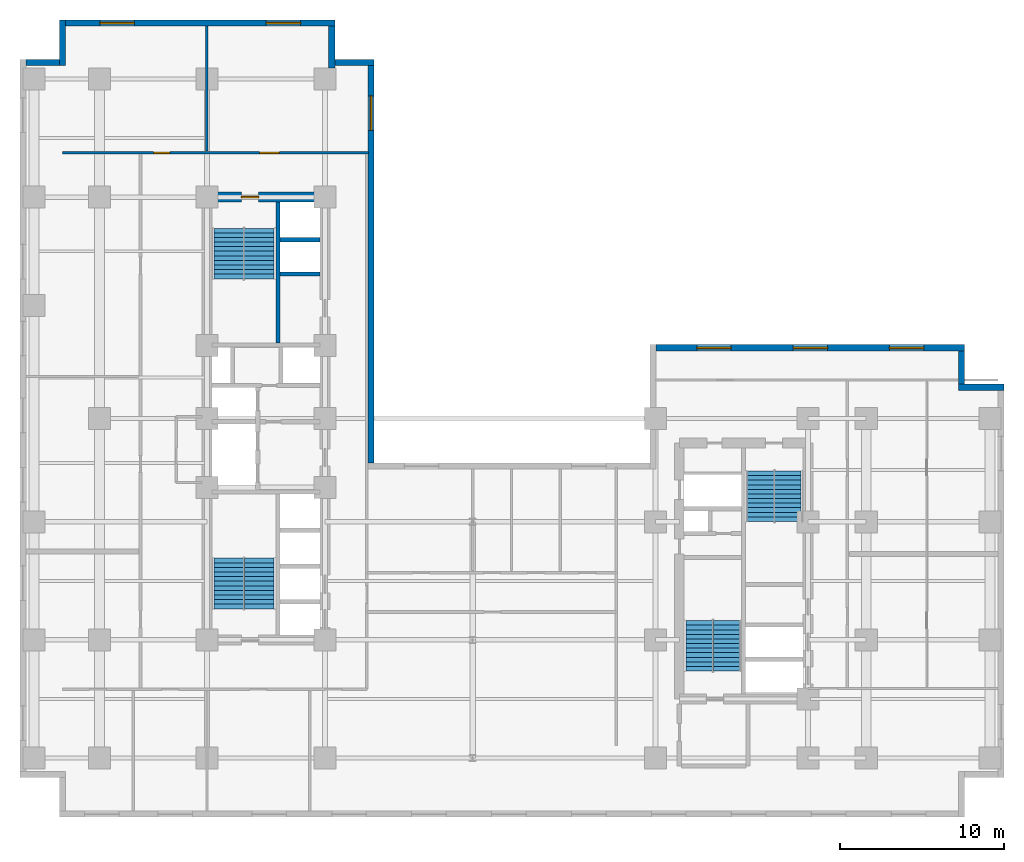
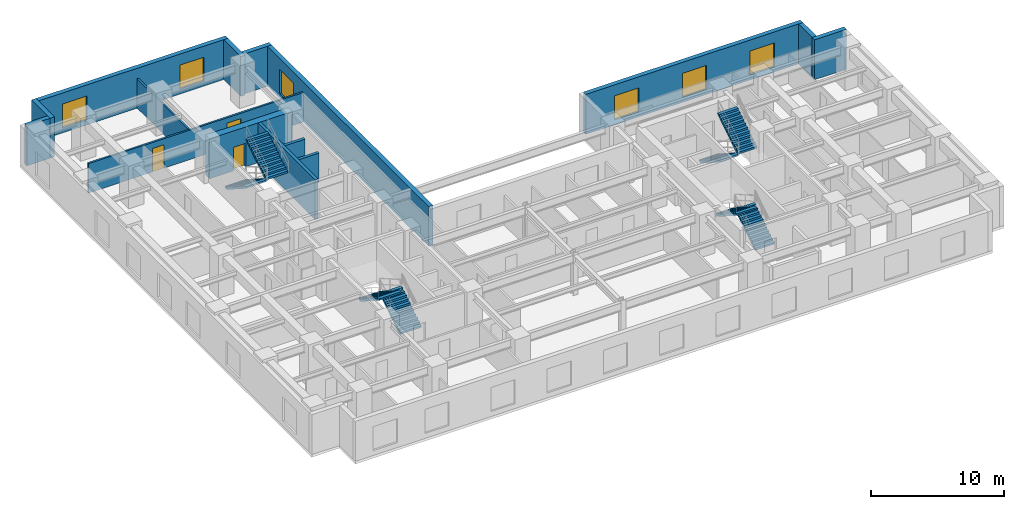
# One storey, part 6 of 9: 15 walls, 8 stair flights, 6 windows, 3 doors, 9 openings, 4 elements without a shape of their own.
"""IFC4 building model written with IfcOpenShell, lengths in metres."""

import ifcopenshell
import ifcopenshell.guid

model = None  # the IFC model being written
_history = None  # IfcOwnerHistory: only IFC2X3 demands one
_inside = {}  # id of a spatial element -> (the spatial element, [elements in it])
_under = {}  # id of a project, library or spatial element -> (it, [spatial elements below it])
_declared = {}  # id of a project -> (the project, [libraries it declares])
_typed = {}  # id of a type object -> (the type object, [elements of that type])
_made_of = {}  # id of a material, layer set ... -> (it, [elements and type objects made of it])


def new_model(schema):
    """Start an empty IFC model of exactly this schema.

    Asked for "IFC4X3", IfcOpenShell would pick the latest addendum, in which some entities
    have other attributes; the version numbers below select the first issue.
    IFC2X3 requires an IfcOwnerHistory on every rooted entity: one is made here for all.
    """
    global model, _history
    if schema == "IFC4X3":
        model = ifcopenshell.file(schema_version=(4, 3, 0, 0))
    else:
        model = ifcopenshell.file(schema=schema)
    _inside.clear()
    _under.clear()
    _declared.clear()
    _typed.clear()
    _made_of.clear()
    _history = None
    if model.schema == "IFC2X3":
        org = make("IfcOrganization", Name="unknown")
        user = make(
            "IfcPersonAndOrganization",
            ThePerson=make("IfcPerson", FamilyName="unknown"),
            TheOrganization=org,
        )
        app = make(
            "IfcApplication",
            ApplicationDeveloper=org,
            Version="unknown",
            ApplicationFullName="unknown",
            ApplicationIdentifier="unknown",
        )
        _history = make(
            "IfcOwnerHistory",
            OwningUser=user,
            OwningApplication=app,
            ChangeAction="ADDED",
            CreationDate=0,
        )
    return model


def make(cls, **values):
    """One entity of the class cls with the attributes given. An attribute that is None is left unset."""
    return model.create_entity(
        cls, **{name: value for name, value in values.items() if value is not None}
    )


def entity(cls, *values):
    """Any entity or typed value of the class cls, its attributes in the order of the schema. None: left unset."""
    e = model.create_entity(cls)
    for i, value in enumerate(values):
        if value is not None:
            e[i] = value
    return e


def rooted(cls, **values):
    """An entity with a GlobalId (a new one), such as an element, a storey or a relation."""
    return make(cls, GlobalId=ifcopenshell.guid.new(), OwnerHistory=_history, **values)


def si_unit(unit_type, name, prefix=None):
    """IfcSIUnit, for example si_unit("LENGTHUNIT", "METRE", prefix="MILLI")."""
    return make("IfcSIUnit", UnitType=unit_type, Prefix=prefix, Name=name)


def converted_unit(unit_type, name, factor, base, dimensions=None, offset=None):
    """IfcConversionBasedUnit, such as the inch: factor (a typed value) times the base unit."""
    return make(
        "IfcConversionBasedUnit"
        if offset is None
        else "IfcConversionBasedUnitWithOffset",
        ConversionOffset=offset,
        Dimensions=None
        if dimensions is None
        else entity("IfcDimensionalExponents", *dimensions),
        UnitType=unit_type,
        Name=name,
        ConversionFactor=make(
            "IfcMeasureWithUnit", ValueComponent=factor, UnitComponent=base
        ),
    )


def assignment(units):
    """IfcUnitAssignment: the units of a project."""
    return None if units is None else make("IfcUnitAssignment", Units=units)


def point(xyz):
    """IfcCartesianPoint."""
    return None if xyz is None else make("IfcCartesianPoint", Coordinates=xyz)


def direction(xyz):
    """IfcDirection."""
    return None if xyz is None else make("IfcDirection", DirectionRatios=xyz)


def frame(location, z_axis=None, x_axis=None):
    """IfcAxis2Placement3D, a coordinate frame: its origin and axes. An axis left out is left unset."""
    return make(
        "IfcAxis2Placement3D",
        Location=point(location),
        Axis=direction(z_axis),
        RefDirection=direction(x_axis),
    )


def frame_2d(location, x_axis=None):
    """IfcAxis2Placement2D, a coordinate frame in the plane: its origin and x axis."""
    return make(
        "IfcAxis2Placement2D", Location=point(location), RefDirection=direction(x_axis)
    )


def origin_with_axes():
    """The frame at (0, 0, 0) with the z axis (0, 0, 1) and the x axis (1, 0, 0) written out."""
    return frame((0.0, 0.0, 0.0), z_axis=(0.0, 0.0, 1.0), x_axis=(1.0, 0.0, 0.0))


def origin_2d_with_axis():
    """The frame at (0, 0) in the plane with the x axis (1, 0) written out."""
    return frame_2d((0.0, 0.0), x_axis=(1.0, 0.0))


def place(relative_to, where):
    """IfcLocalPlacement: puts the frame where relative to a parent placement (None: the world)."""
    return make(
        "IfcLocalPlacement", PlacementRelTo=relative_to, RelativePlacement=where
    )


def context(
    kind, dimensions, precision=None, world=None, true_north=None, identifier=None
):
    """IfcGeometricRepresentationContext, for example the 3D "Model" context."""
    return make(
        "IfcGeometricRepresentationContext",
        ContextIdentifier=identifier,
        ContextType=kind,
        CoordinateSpaceDimension=dimensions,
        Precision=precision,
        WorldCoordinateSystem=world,
        TrueNorth=true_north,
    )


def subcontext(parent, identifier, kind, view, scale=None):
    """IfcGeometricRepresentationSubContext, for example "Body" below "Model"."""
    return make(
        "IfcGeometricRepresentationSubContext",
        ContextIdentifier=identifier,
        ContextType=kind,
        ParentContext=parent,
        TargetScale=scale,
        TargetView=view,
    )


def project(units=None, contexts=None):
    """IfcProject with its units and contexts."""
    return rooted(
        "IfcProject",
        Name="project",
        RepresentationContexts=contexts,
        UnitsInContext=assignment(units),
    )


def spatial(cls, under=None, at=None, **own):
    """A site, building, storey or space (cls), placed at a placement, below another one or the project."""
    s = rooted(cls, ObjectPlacement=at, **own)
    if under is not None:
        _under.setdefault(under.id(), (under, []))[1].append(s)
    return s


def polyline(points):
    """IfcPolyline through the points."""
    return make("IfcPolyline", Points=[point(p) for p in points])


def profile(cls, at=None, kind="AREA", **sizes):
    """A parametric profile (cls). Its sizes go by their IFC names, for example OverallWidth=200.0."""
    return make(cls, ProfileType=kind, Position=at, **sizes)


def rectangle(**sizes):
    """IfcRectangleProfileDef."""
    return profile("IfcRectangleProfileDef", **sizes)


def outline(outer, holes=None, kind="AREA"):
    """IfcArbitraryClosedProfileDef: a profile drawn as a closed curve; with holes, ...WithVoids."""
    if holes is None:
        return make("IfcArbitraryClosedProfileDef", ProfileType=kind, OuterCurve=outer)
    return make(
        "IfcArbitraryProfileDefWithVoids",
        ProfileType=kind,
        OuterCurve=outer,
        InnerCurves=holes,
    )


def extrude(swept, where, along, depth):
    """IfcExtrudedAreaSolid: the profile swept, set in the frame where, extruded along a direction by depth."""
    return make(
        "IfcExtrudedAreaSolid",
        SweptArea=swept,
        Position=where,
        ExtrudedDirection=direction(along),
        Depth=depth,
    )


def shape(context_of_items, identifier, shape_type, items):
    """IfcShapeRepresentation: the items that make up one representation, for example the "Body"."""
    return make(
        "IfcShapeRepresentation",
        ContextOfItems=context_of_items,
        RepresentationIdentifier=identifier,
        RepresentationType=shape_type,
        Items=items,
    )


def material(Name=None, Category=None):
    """IfcMaterial."""
    return make("IfcMaterial", Name=Name, Category=Category)


def layer(
    of_material, thickness, ventilated=None, Name=None, Category=None, Priority=None
):
    """IfcMaterialLayer: one layer of a wall or slab, of a material (None: an air gap)."""
    return make(
        "IfcMaterialLayer",
        Material=of_material,
        LayerThickness=thickness,
        IsVentilated=ventilated,
        Name=Name,
        Category=Category,
        Priority=Priority,
    )


def layer_set(layers, Name=None):
    """IfcMaterialLayerSet."""
    return make("IfcMaterialLayerSet", MaterialLayers=layers, LayerSetName=Name)


def made_of(thing, what):
    """Note that an element or type object is made of a material, layer set ...; save() writes the relation."""
    if what is not None:
        _made_of.setdefault(what.id(), (what, []))[1].append(thing)
    return thing


def type_object(cls, material=None, **own):
    """A type object (cls), such as IfcWallType, which elements share."""
    return made_of(rooted(cls, **own), material)


def element(
    cls,
    number,
    at=None,
    inside=None,
    cuts=None,
    type_object=None,
    material=None,
    context=None,
    identifier="Body",
    shape_type=None,
    held_by="IfcProductDefinitionShape",
    body=None,
    shapes=None,
    **own,
):
    """One element of the class cls, such as IfcWall. Its Tag is "e" and its number.

    at: its placement. inside: the storey or other place that contains it. cuts: it is an
    opening in that element (IfcRelVoidsElement). A single representation is given by context,
    identifier, shape_type and body (its items); several are given by shapes. held_by: the class
    of the entity that holds the representations. save() writes the other relations.
    """
    e = rooted(cls, Tag="e%d" % number, ObjectPlacement=at, **own)
    if body is not None:
        shapes = [shape(context, identifier, shape_type, body)]
    if shapes is not None:
        e.Representation = make(held_by, Representations=shapes)
    if inside is not None:
        _inside.setdefault(inside.id(), (inside, []))[1].append(e)
    if cuts is not None:
        rooted(
            "IfcRelVoidsElement", RelatingBuildingElement=cuts, RelatedOpeningElement=e
        )
    if type_object is not None:
        _typed.setdefault(type_object.id(), (type_object, []))[1].append(e)
    return made_of(e, material)


def fill(opening, filler):
    """IfcRelFillsElement: the door or window that sits in an opening."""
    return rooted(
        "IfcRelFillsElement",
        RelatingOpeningElement=opening,
        RelatedBuildingElement=filler,
    )


def aggregate(whole, parts):
    """IfcRelAggregates: a whole, such as a stair, and the parts it consists of."""
    return rooted("IfcRelAggregates", RelatingObject=whole, RelatedObjects=parts)


def save(model, path):
    """Write the relations noted so far, then the file.

    IfcRelAggregates (storeys below a building ...), IfcRelContainedInSpatialStructure (elements
    in a storey), IfcRelDefinesByType, IfcRelAssociatesMaterial and IfcRelDeclares: one each for
    every whole, place, type object, material and project.
    """
    for whole, parts in _under.values():
        aggregate(whole, parts)
    for where, things in _inside.values():
        rooted(
            "IfcRelContainedInSpatialStructure",
            RelatedElements=things,
            RelatingStructure=where,
        )
    for kind, things in _typed.values():
        rooted("IfcRelDefinesByType", RelatedObjects=things, RelatingType=kind)
    for what, things in _made_of.values():
        rooted("IfcRelAssociatesMaterial", RelatedObjects=things, RelatingMaterial=what)
    for by, libraries in _declared.values():
        rooted("IfcRelDeclares", RelatingContext=by, RelatedDefinitions=libraries)
    model.write(path)


model = new_model("IFC4")

# Units and contexts
model_context = context("Model", 3, precision=1e-05, world=origin_with_axes(), true_north=direction((0.0, 1.0)))
body_context = subcontext(model_context, "Body", "Model", "MODEL_VIEW")
ifc_project = project(units=[si_unit("LENGTHUNIT", "METRE"), si_unit("AREAUNIT", "SQUARE_METRE"), si_unit("VOLUMEUNIT", "CUBIC_METRE"), converted_unit("PLANEANGLEUNIT", "DEGREE", entity("IfcPlaneAngleMeasure", 0.017453292519943295), si_unit("PLANEANGLEUNIT", "RADIAN"), dimensions=[0, 0, 0, 0, 0, 0, 0]), si_unit("MASSUNIT", "GRAM", prefix="KILO"), si_unit("THERMODYNAMICTEMPERATUREUNIT", "KELVIN")], contexts=[model_context])

# Site, building, storey
site_placement = place(None, origin_with_axes())
site = spatial("IfcSite", under=ifc_project, at=site_placement, CompositionType="ELEMENT")
building_placement = place(site_placement, origin_with_axes())
building = spatial("IfcBuilding", under=site, at=building_placement, Name="Varnlund Millrace Tower", CompositionType="ELEMENT")
storey_placement = place(building_placement, frame((0.0, 0.0, 67.8), z_axis=(0.0, 0.0, 1.0), x_axis=(1.0, 0.0, 0.0)))
storey = spatial("IfcBuildingStorey", under=building, at=storey_placement, Name="L16", CompositionType="ELEMENT", Elevation=67.8)

# Wall, opening, door
ifc_material_1 = material(Name="Concrete C80/95", Category="concrete")
ifc_layer_1 = layer(ifc_material_1, 0.6, Name="Concrete C80/95")
ifc_layer_set_1 = layer_set([ifc_layer_1], Name="Concrete C80/95")
wall_type_1 = type_object("IfcWallType", Name="Type-CoreWall-Shear-600-C80", PredefinedType="SHEAR", material=ifc_layer_set_1)
wall_1_placement = place(storey_placement, frame((11.4, 37.8, 0.0), z_axis=(0.0, 0.0, 1.0), x_axis=(1.0, 0.0, 0.0)))
wall_1 = element("IfcWall", 1, at=wall_1_placement, inside=storey, type_object=wall_type_1, Name="Type-CoreWall-Shear-600-C80", PredefinedType="SHEAR", context=body_context, shape_type="SweptSolid", body=[
    extrude(outline(polyline([(0.0, -0.3), (7.2, -0.3), (7.2, 0.3), (0.0, 0.3), (0.0, -0.3)])), origin_with_axes(), (0.0, 0.0, 1.0), 3.66),
])
opening_1_placement = place(wall_1_placement, frame((2.625, 0.0, 0.0), z_axis=(0.0, 0.0, 1.0), x_axis=(1.0, 0.0, 0.0)))
opening_1 = element("IfcOpeningElement", 2, at=opening_1_placement, cuts=wall_1, Name="Opening L16:DR-STA2", PredefinedType="OPENING", context=body_context, shape_type="SweptSolid", body=[
    extrude(rectangle(XDim=1.05, YDim=0.62, at=origin_2d_with_axis()), origin_with_axes(), (0.0, 0.0, 1.0), 2.15),
])
ifc_material_2 = material(Name="Fire-rated hollow steel door", Category="steel")
door_type_1 = type_object("IfcDoorType", Name="Type-FireDoor-Stair-1050X2150", OperationType="NOTDEFINED", PredefinedType="DOOR", material=ifc_material_2)
door_1_placement = place(wall_1_placement, frame((2.625, 0.0, 0.0), z_axis=(0.0, 0.0, 1.0), x_axis=(1.0, 0.0, 0.0)))
door_1 = element("IfcDoor", 3, at=door_1_placement, inside=storey, type_object=door_type_1, Name="Type-FireDoor-Stair-1050X2150", OperationType="SINGLE_SWING_RIGHT", OverallHeight=2.15, OverallWidth=1.05, PredefinedType="DOOR", context=body_context, shape_type="SweptSolid", body=[
    extrude(rectangle(XDim=1.05, YDim=0.09, at=origin_2d_with_axis()), origin_with_axes(), (0.0, 0.0, 1.0), 2.15),
])
fill(opening_1, door_1)

# Wall, openings, windows
ifc_material_3 = material(Name="Precast concrete C50/60", Category="concrete")
ifc_layer_2 = layer(ifc_material_3, 0.38, Name="Precast concrete C50/60")
ifc_layer_set_2 = layer_set([ifc_layer_2], Name="Precast concrete C50/60")
wall_type_2 = type_object("IfcWallType", Name="Type-ExtWall-Precast-Tube-380", PredefinedType="SOLIDWALL", material=ifc_layer_set_2)
wall_2_placement = place(storey_placement, frame((38.78, 28.61, 0.0), z_axis=(0.0, 0.0, 1.0), x_axis=(1.0, 0.0, 0.0)))
wall_2 = element("IfcWall", 4, at=wall_2_placement, inside=storey, type_object=wall_type_2, Name="Type-ExtWall-Precast-Tube-380", PredefinedType="SOLIDWALL", context=body_context, shape_type="SweptSolid", body=[
    extrude(outline(polyline([(0.0, -0.19), (18.82, -0.19), (18.82, 0.19), (0.0, 0.19), (0.0, -0.19)])), origin_with_axes(), (0.0, 0.0, 1.0), 3.66),
])
opening_2_placement = place(wall_2_placement, frame((3.537, 0.0, 0.45), z_axis=(0.0, 0.0, 1.0), x_axis=(1.0, 0.0, 0.0)))
opening_2 = element("IfcOpeningElement", 5, at=opening_2_placement, cuts=wall_2, Name="Opening L16:WN-01", PredefinedType="OPENING", context=body_context, shape_type="SweptSolid", body=[
    extrude(rectangle(XDim=2.1, YDim=0.4, at=origin_2d_with_axis()), origin_with_axes(), (0.0, 0.0, 1.0), 2.2),
])
opening_3_placement = place(wall_2_placement, frame((9.41, 0.0, 0.45), z_axis=(0.0, 0.0, 1.0), x_axis=(1.0, 0.0, 0.0)))
opening_3 = element("IfcOpeningElement", 6, at=opening_3_placement, cuts=wall_2, Name="Opening L16:WN-02", PredefinedType="OPENING", context=body_context, shape_type="SweptSolid", body=[
    extrude(rectangle(XDim=2.1, YDim=0.4, at=origin_2d_with_axis()), origin_with_axes(), (0.0, 0.0, 1.0), 2.2),
])
opening_4_placement = place(wall_2_placement, frame((15.283, 0.0, 0.45), z_axis=(0.0, 0.0, 1.0), x_axis=(1.0, 0.0, 0.0)))
opening_4 = element("IfcOpeningElement", 7, at=opening_4_placement, cuts=wall_2, Name="Opening L16:WN-03", PredefinedType="OPENING", context=body_context, shape_type="SweptSolid", body=[
    extrude(rectangle(XDim=2.1, YDim=0.4, at=origin_2d_with_axis()), origin_with_axes(), (0.0, 0.0, 1.0), 2.2),
])
ifc_material_4 = material(Name="Argon low-e triple glazing in thermally broken bronze frame", Category="glass")
window_type = type_object("IfcWindowType", Name="Type-Window-Punched-2100X2200", PartitioningType="SINGLE_PANEL", PredefinedType="WINDOW", material=ifc_material_4)
window_1_placement = place(wall_2_placement, frame((3.537, 0.0, 0.45), z_axis=(0.0, 0.0, 1.0), x_axis=(1.0, 0.0, 0.0)))
window_1 = element("IfcWindow", 8, at=window_1_placement, inside=storey, type_object=window_type, Name="Type-Window-Punched-2100X2200", OverallHeight=2.2, OverallWidth=2.1, PredefinedType="WINDOW", context=body_context, shape_type="SweptSolid", body=[
    extrude(rectangle(XDim=2.1, YDim=0.09, at=origin_2d_with_axis()), origin_with_axes(), (0.0, 0.0, 1.0), 2.2),
])
fill(opening_2, window_1)
window_2_placement = place(wall_2_placement, frame((9.41, 0.0, 0.45), z_axis=(0.0, 0.0, 1.0), x_axis=(1.0, 0.0, 0.0)))
window_2 = element("IfcWindow", 9, at=window_2_placement, inside=storey, type_object=window_type, Name="Type-Window-Punched-2100X2200", OverallHeight=2.2, OverallWidth=2.1, PredefinedType="WINDOW", context=body_context, shape_type="SweptSolid", body=[
    extrude(rectangle(XDim=2.1, YDim=0.09, at=origin_2d_with_axis()), origin_with_axes(), (0.0, 0.0, 1.0), 2.2),
])
fill(opening_3, window_2)
window_3_placement = place(wall_2_placement, frame((15.283, 0.0, 0.45), z_axis=(0.0, 0.0, 1.0), x_axis=(1.0, 0.0, 0.0)))
window_3 = element("IfcWindow", 10, at=window_3_placement, inside=storey, type_object=window_type, Name="Type-Window-Punched-2100X2200", OverallHeight=2.2, OverallWidth=2.1, PredefinedType="WINDOW", context=body_context, shape_type="SweptSolid", body=[
    extrude(rectangle(XDim=2.1, YDim=0.09, at=origin_2d_with_axis()), origin_with_axes(), (0.0, 0.0, 1.0), 2.2),
])
fill(opening_4, window_3)

# Walls
wall_3_placement = place(storey_placement, frame((57.41, 28.42, 0.0), z_axis=(0.0, 0.0, 1.0), x_axis=(0.0, -1.0, 0.0)))
element("IfcWall", 11, at=wall_3_placement, inside=storey, type_object=wall_type_2, Name="Type-ExtWall-Precast-Tube-380", PredefinedType="SOLIDWALL", context=body_context, shape_type="SweptSolid", body=[
    extrude(outline(polyline([(0.0, -0.19), (2.02, -0.19), (2.02, 0.19), (0.0, 0.19), (0.0, -0.19)])), origin_with_axes(), (0.0, 0.0, 1.0), 3.66),
])
wall_4_placement = place(storey_placement, frame((57.22, 26.21, 0.0), z_axis=(0.0, 0.0, 1.0), x_axis=(1.0, 0.0, 0.0)))
element("IfcWall", 12, at=wall_4_placement, inside=storey, type_object=wall_type_2, Name="Type-ExtWall-Precast-Tube-380", PredefinedType="SOLIDWALL", context=body_context, shape_type="SweptSolid", body=[
    extrude(outline(polyline([(0.0, -0.19), (2.78, -0.19), (2.78, 0.19), (0.0, 0.19), (0.0, -0.19)])), origin_with_axes(), (0.0, 0.0, 1.0), 3.66),
])
wall_5_placement = place(storey_placement, frame((0.38, 46.01, 0.0), z_axis=(0.0, 0.0, 1.0), x_axis=(1.0, 0.0, 0.0)))
element("IfcWall", 13, at=wall_5_placement, inside=storey, type_object=wall_type_2, Name="Type-ExtWall-Precast-Tube-380", PredefinedType="SOLIDWALL", context=body_context, shape_type="SweptSolid", body=[
    extrude(outline(polyline([(0.0, -0.19), (2.02, -0.19), (2.02, 0.19), (0.0, 0.19), (0.0, -0.19)])), origin_with_axes(), (0.0, 0.0, 1.0), 3.66),
])
wall_6_placement = place(storey_placement, frame((2.59, 45.82, 0.0), z_axis=(0.0, 0.0, 1.0), x_axis=(0.0, 1.0, 0.0)))
element("IfcWall", 14, at=wall_6_placement, inside=storey, type_object=wall_type_2, Name="Type-ExtWall-Precast-Tube-380", PredefinedType="SOLIDWALL", context=body_context, shape_type="SweptSolid", body=[
    extrude(outline(polyline([(0.0, -0.19), (2.78, -0.19), (2.78, 0.19), (0.0, 0.19), (0.0, -0.19)])), origin_with_axes(), (0.0, 0.0, 1.0), 3.66),
])

# Wall, openings, windows
wall_7_placement = place(storey_placement, frame((2.78, 48.41, 0.0), z_axis=(0.0, 0.0, 1.0), x_axis=(1.0, 0.0, 0.0)))
wall_7 = element("IfcWall", 15, at=wall_7_placement, inside=storey, type_object=wall_type_2, Name="Type-ExtWall-Precast-Tube-380", PredefinedType="SOLIDWALL", context=body_context, shape_type="SweptSolid", body=[
    extrude(outline(polyline([(0.0, -0.19), (16.42, -0.19), (16.42, 0.19), (0.0, 0.19), (0.0, -0.19)])), origin_with_axes(), (0.0, 0.0, 1.0), 3.66),
])
opening_5_placement = place(wall_7_placement, frame((3.137, 0.0, 0.45), z_axis=(0.0, 0.0, 1.0), x_axis=(1.0, 0.0, 0.0)))
opening_5 = element("IfcOpeningElement", 16, at=opening_5_placement, cuts=wall_7, Name="Opening L16:WN-24", PredefinedType="OPENING", context=body_context, shape_type="SweptSolid", body=[
    extrude(rectangle(XDim=2.1, YDim=0.4, at=origin_2d_with_axis()), origin_with_axes(), (0.0, 0.0, 1.0), 2.2),
])
opening_6_placement = place(wall_7_placement, frame((13.283, 0.0, 0.45), z_axis=(0.0, 0.0, 1.0), x_axis=(1.0, 0.0, 0.0)))
opening_6 = element("IfcOpeningElement", 17, at=opening_6_placement, cuts=wall_7, Name="Opening L16:WN-25", PredefinedType="OPENING", context=body_context, shape_type="SweptSolid", body=[
    extrude(rectangle(XDim=2.1, YDim=0.4, at=origin_2d_with_axis()), origin_with_axes(), (0.0, 0.0, 1.0), 2.2),
])
window_4_placement = place(wall_7_placement, frame((3.137, 0.0, 0.45), z_axis=(0.0, 0.0, 1.0), x_axis=(1.0, 0.0, 0.0)))
window_4 = element("IfcWindow", 18, at=window_4_placement, inside=storey, type_object=window_type, Name="Type-Window-Punched-2100X2200", OverallHeight=2.2, OverallWidth=2.1, PredefinedType="WINDOW", context=body_context, shape_type="SweptSolid", body=[
    extrude(rectangle(XDim=2.1, YDim=0.09, at=origin_2d_with_axis()), origin_with_axes(), (0.0, 0.0, 1.0), 2.2),
])
fill(opening_5, window_4)
window_5_placement = place(wall_7_placement, frame((13.283, 0.0, 0.45), z_axis=(0.0, 0.0, 1.0), x_axis=(1.0, 0.0, 0.0)))
window_5 = element("IfcWindow", 19, at=window_5_placement, inside=storey, type_object=window_type, Name="Type-Window-Punched-2100X2200", OverallHeight=2.2, OverallWidth=2.1, PredefinedType="WINDOW", context=body_context, shape_type="SweptSolid", body=[
    extrude(rectangle(XDim=2.1, YDim=0.09, at=origin_2d_with_axis()), origin_with_axes(), (0.0, 0.0, 1.0), 2.2),
])
fill(opening_6, window_5)

# Walls
wall_8_placement = place(storey_placement, frame((19.01, 48.22, 0.0), z_axis=(0.0, 0.0, 1.0), x_axis=(0.0, -1.0, 0.0)))
element("IfcWall", 20, at=wall_8_placement, inside=storey, type_object=wall_type_2, Name="Type-ExtWall-Precast-Tube-380", PredefinedType="SOLIDWALL", context=body_context, shape_type="SweptSolid", body=[
    extrude(outline(polyline([(0.0, -0.19), (2.56, -0.19), (2.56, 0.19), (0.0, 0.19), (0.0, -0.19)])), origin_with_axes(), (0.0, 0.0, 1.0), 3.66),
])
wall_9_placement = place(storey_placement, frame((18.82, 46.01, 0.0), z_axis=(0.0, 0.0, 1.0), x_axis=(1.0, 0.0, 0.0)))
element("IfcWall", 21, at=wall_9_placement, inside=storey, type_object=wall_type_2, Name="Type-ExtWall-Precast-Tube-380", PredefinedType="SOLIDWALL", context=body_context, shape_type="SweptSolid", body=[
    extrude(outline(polyline([(0.0, -0.19), (2.78, -0.19), (2.78, 0.19), (0.0, 0.19), (0.0, -0.19)])), origin_with_axes(), (0.0, 0.0, 1.0), 3.66),
])

# Wall, opening, window
wall_10_placement = place(storey_placement, frame((21.41, 45.82, 0.0), z_axis=(0.0, 0.0, 1.0), x_axis=(0.0, -1.0, 0.0)))
wall_10 = element("IfcWall", 22, at=wall_10_placement, inside=storey, type_object=wall_type_2, Name="Type-ExtWall-Precast-Tube-380", PredefinedType="SOLIDWALL", context=body_context, shape_type="SweptSolid", body=[
    extrude(outline(polyline([(0.0, -0.19), (24.22, -0.19), (24.22, 0.19), (0.0, 0.19), (0.0, -0.19)])), origin_with_axes(), (0.0, 0.0, 1.0), 3.66),
])
opening_7_placement = place(wall_10_placement, frame((2.902, 0.0, 0.45), z_axis=(0.0, 0.0, 1.0), x_axis=(1.0, 0.0, 0.0)))
opening_7 = element("IfcOpeningElement", 23, at=opening_7_placement, cuts=wall_10, Name="Opening L16:WN-26", PredefinedType="OPENING", context=body_context, shape_type="SweptSolid", body=[
    extrude(rectangle(XDim=2.1, YDim=0.4, at=origin_2d_with_axis()), origin_with_axes(), (0.0, 0.0, 1.0), 2.2),
])
window_6_placement = place(wall_10_placement, frame((2.902, 0.0, 0.45), z_axis=(0.0, 0.0, 1.0), x_axis=(1.0, 0.0, 0.0)))
window_6 = element("IfcWindow", 24, at=window_6_placement, inside=storey, type_object=window_type, Name="Type-Window-Punched-2100X2200", OverallHeight=2.2, OverallWidth=2.1, PredefinedType="WINDOW", context=body_context, shape_type="SweptSolid", body=[
    extrude(rectangle(XDim=2.1, YDim=0.09, at=origin_2d_with_axis()), origin_with_axes(), (0.0, 0.0, 1.0), 2.2),
])
fill(opening_7, window_6)

# Wall, openings, doors
ifc_material_5 = material(Name="Fire-rated gypsum board on cold-formed steel framing", Category="steel")
ifc_layer_3 = layer(ifc_material_5, 0.16, Name="Fire-rated gypsum board on cold-formed steel framing")
ifc_layer_set_3 = layer_set([ifc_layer_3], Name="Fire-rated gypsum board on cold-formed steel framing")
wall_type_3 = type_object("IfcWallType", Name="Type-Partition-Corridor-160", PredefinedType="PARTITIONING", material=ifc_layer_set_3)
wall_11_placement = place(storey_placement, frame((2.6, 40.5, 0.0), z_axis=(0.0, 0.0, 1.0), x_axis=(1.0, 0.0, 0.0)))
wall_11 = element("IfcWall", 25, at=wall_11_placement, inside=storey, type_object=wall_type_3, Name="Type-Partition-Corridor-160", PredefinedType="PARTITIONING", context=body_context, shape_type="SweptSolid", body=[
    extrude(outline(polyline([(0.0, -0.08), (18.65, -0.08), (18.65, 0.08), (0.0, 0.08), (0.0, -0.08)])), origin_with_axes(), (0.0, 0.0, 1.0), 2.7),
])
opening_8_placement = place(wall_11_placement, frame((6.045, 0.0, 0.0), z_axis=(0.0, 0.0, 1.0), x_axis=(1.0, 0.0, 0.0)))
opening_8 = element("IfcOpeningElement", 26, at=opening_8_placement, cuts=wall_11, Name="Opening L16:DR-WAN-01", PredefinedType="OPENING", context=body_context, shape_type="SweptSolid", body=[
    extrude(rectangle(XDim=1.0, YDim=0.18, at=origin_2d_with_axis()), origin_with_axes(), (0.0, 0.0, 1.0), 2.15),
])
opening_9_placement = place(wall_11_placement, frame((12.61, 0.0, 0.0), z_axis=(0.0, 0.0, 1.0), x_axis=(1.0, 0.0, 0.0)))
opening_9 = element("IfcOpeningElement", 27, at=opening_9_placement, cuts=wall_11, Name="Opening L16:DR-WAN-02", PredefinedType="OPENING", context=body_context, shape_type="SweptSolid", body=[
    extrude(rectangle(XDim=1.2, YDim=0.18, at=origin_2d_with_axis()), origin_with_axes(), (0.0, 0.0, 1.0), 2.2),
])
ifc_material_6 = material(Name="Wide executive white oak acoustic door")
door_type_2 = type_object("IfcDoorType", Name="Type-IntDoor-Exec-1200X2200", OperationType="NOTDEFINED", PredefinedType="DOOR", material=ifc_material_6)
door_2_placement = place(wall_11_placement, frame((12.61, 0.0, 0.0), z_axis=(0.0, 0.0, 1.0), x_axis=(1.0, 0.0, 0.0)))
door_2 = element("IfcDoor", 28, at=door_2_placement, inside=storey, type_object=door_type_2, Name="Type-IntDoor-Exec-1200X2200", OperationType="SINGLE_SWING_RIGHT", OverallHeight=2.2, OverallWidth=1.2, PredefinedType="DOOR", context=body_context, shape_type="SweptSolid", body=[
    extrude(rectangle(XDim=1.2, YDim=0.09, at=origin_2d_with_axis()), origin_with_axes(), (0.0, 0.0, 1.0), 2.2),
])
fill(opening_9, door_2)
ifc_material_7 = material(Name="Solid-core white oak and bronze frame door")
door_type_3 = type_object("IfcDoorType", Name="Type-IntDoor-Office-1000X2150", OperationType="NOTDEFINED", PredefinedType="DOOR", material=ifc_material_7)
door_3_placement = place(wall_11_placement, frame((6.045, 0.0, 0.0), z_axis=(0.0, 0.0, 1.0), x_axis=(1.0, 0.0, 0.0)))
door_3 = element("IfcDoor", 29, at=door_3_placement, inside=storey, type_object=door_type_3, Name="Type-IntDoor-Office-1000X2150", OperationType="SINGLE_SWING_LEFT", OverallHeight=2.15, OverallWidth=1.0, PredefinedType="DOOR", context=body_context, shape_type="SweptSolid", body=[
    extrude(rectangle(XDim=1.0, YDim=0.09, at=origin_2d_with_axis()), origin_with_axes(), (0.0, 0.0, 1.0), 2.15),
])
fill(opening_8, door_3)

# Walls
ifc_material_8 = material(Name="Acoustic STC-50 gypsum board partition", Category="gypsum")
ifc_layer_4 = layer(ifc_material_8, 0.15, Name="Acoustic STC-50 gypsum board partition")
ifc_layer_set_4 = layer_set([ifc_layer_4], Name="Acoustic STC-50 gypsum board partition")
wall_type_4 = type_object("IfcWallType", Name="Type-Partition-Demising-150", PredefinedType="PARTITIONING", material=ifc_layer_set_4)
wall_12_placement = place(storey_placement, frame((11.4, 40.6, 0.0), z_axis=(0.0, 0.0, 1.0), x_axis=(0.0, 1.0, 0.0)))
element("IfcWall", 30, at=wall_12_placement, inside=storey, type_object=wall_type_4, Name="Type-Partition-Demising-150", PredefinedType="PARTITIONING", context=body_context, shape_type="SweptSolid", body=[
    extrude(outline(polyline([(0.0, -0.075), (7.64, -0.075), (7.64, 0.075), (0.0, 0.075), (0.0, -0.075)])), origin_with_axes(), (0.0, 0.0, 1.0), 2.7),
])
ifc_material_9 = material(Name="Concrete C60/75", Category="concrete")
ifc_layer_5 = layer(ifc_material_9, 0.25, Name="Concrete C60/75")
ifc_layer_set_5 = layer_set([ifc_layer_5], Name="Concrete C60/75")
wall_type_5 = type_object("IfcWallType", Name="Type-ShaftWall-Fire-250", PredefinedType="SOLIDWALL", material=ifc_layer_set_5)
for number, where, z_axis, x_axis, name in (
    (31, (15.84, 33.1, 0.0), (0.0, 0.0, 1.0), (1.0, 0.0, 0.0), "Type-ShaftWall-Fire-250"),
    (32, (15.84, 35.2, 0.0), (0.0, 0.0, 1.0), (1.0, 0.0, 0.0), "Type-ShaftWall-Fire-250"),
):
    element("IfcWall", number, at=place(storey_placement, frame(where, z_axis=z_axis, x_axis=x_axis)), inside=storey, type_object=wall_type_5, Name=name, PredefinedType="SOLIDWALL", context=body_context, shape_type="SweptSolid", body=[
        extrude(outline(polyline([(0.0, -0.125), (2.46, -0.125), (2.46, 0.125), (0.0, 0.125), (0.0, -0.125)])), origin_with_axes(), (0.0, 0.0, 1.0), 2.7),
    ])
wall_type_6 = type_object("IfcWallType", Name="Type-StairWall-Shear-250", PredefinedType="SHEAR", material=ifc_layer_set_5)
wall_13_placement = place(storey_placement, frame((15.725, 28.9, 0.0), z_axis=(0.0, 0.0, 1.0), x_axis=(0.0, 1.0, 0.0)))
element("IfcWall", 33, at=wall_13_placement, inside=storey, type_object=wall_type_6, Name="Type-StairWall-Shear-250", PredefinedType="SHEAR", context=body_context, shape_type="SweptSolid", body=[
    extrude(outline(polyline([(0.0, -0.125), (8.6, -0.125), (8.6, 0.125), (0.0, 0.125), (0.0, -0.125)])), origin_with_axes(), (0.0, 0.0, 1.0), 3.66),
])

# Stair, stair flights
ifc_material_10 = material(Name="Concrete C50/60", Category="concrete")
stair_type_1 = type_object("IfcStairType", Name="Type-Stair-Dogleg-165-390", PredefinedType="HALF_TURN_STAIR", material=ifc_material_10)
stair_1_placement = place(storey_placement, origin_with_axes())
stair_1 = element("IfcStair", 34, at=stair_1_placement, inside=storey, type_object=stair_type_1, Name="Type-Stair-Dogleg-165-390", PredefinedType="HALF_TURN_STAIR")
stair_flight_type_1 = type_object("IfcStairFlightType", Name="Type-Dogleg-Run-165-390", PredefinedType="STRAIGHT", material=ifc_material_3)
stair_flight_1_placement = place(storey_placement, frame((42.225, 8.9, 0.0), z_axis=(1.0, 0.0, 0.0), x_axis=(0.0, 1.0, 0.0)))
stair_flight_1 = element("IfcStairFlight", 35, at=stair_flight_1_placement, type_object=stair_flight_type_1, Name="ST-B1 flight 1", NumberOfRisers=11, NumberOfTreads=11, PredefinedType="STRAIGHT", RiserHeight=0.177273, TreadLength=0.28, context=body_context, shape_type="SweptSolid", body=[
    extrude(outline(polyline([(0.0, 0.0), (0.0, 0.177273), (0.28, 0.177273), (0.28, 0.354545), (0.56, 0.354545), (0.56, 0.531818), (0.84, 0.531818), (0.84, 0.709091), (1.12, 0.709091), (1.12, 0.886364), (1.4, 0.886364), (1.4, 1.063636), (1.68, 1.063636), (1.68, 1.240909), (1.96, 1.240909), (1.96, 1.418182), (2.24, 1.418182), (2.24, 1.595454), (2.52, 1.595454), (2.52, 1.772727), (2.8, 1.772727), (2.8, 1.95), (3.08, 1.95), (3.08, 1.8), (0.28, 0.0), (0.0, 0.0)])), origin_with_axes(), (0.0, 0.0, 1.0), 1.65),
])
stair_flight_2_placement = place(storey_placement, frame((42.275, 11.98, 1.95), z_axis=(-1.0, 0.0, 0.0), x_axis=(0.0, -1.0, 0.0)))
stair_flight_2 = element("IfcStairFlight", 36, at=stair_flight_2_placement, type_object=stair_flight_type_1, Name="ST-B1 flight 2", NumberOfRisers=11, NumberOfTreads=11, PredefinedType="STRAIGHT", RiserHeight=0.177273, TreadLength=0.28, context=body_context, shape_type="SweptSolid", body=[
    extrude(outline(polyline([(0.0, 0.0), (0.0, 0.177273), (0.28, 0.177273), (0.28, 0.354545), (0.56, 0.354545), (0.56, 0.531818), (0.84, 0.531818), (0.84, 0.709091), (1.12, 0.709091), (1.12, 0.886364), (1.4, 0.886364), (1.4, 1.063636), (1.68, 1.063636), (1.68, 1.240909), (1.96, 1.240909), (1.96, 1.418182), (2.24, 1.418182), (2.24, 1.595454), (2.52, 1.595454), (2.52, 1.772727), (2.8, 1.772727), (2.8, 1.95), (3.08, 1.95), (3.08, 1.8), (0.28, 0.0), (0.0, 0.0)])), origin_with_axes(), (0.0, 0.0, 1.0), 1.65),
])
aggregate(stair_1, [stair_flight_1, stair_flight_2])

stair_2_placement = place(storey_placement, origin_with_axes())
stair_2 = element("IfcStair", 37, at=stair_2_placement, inside=storey, type_object=stair_type_1, Name="Type-Stair-Dogleg-165-390", PredefinedType="HALF_TURN_STAIR")
stair_flight_3_placement = place(storey_placement, frame((46.025, 21.1, 0.0), z_axis=(-1.0, 0.0, 0.0), x_axis=(0.0, -1.0, 0.0)))
stair_flight_3 = element("IfcStairFlight", 38, at=stair_flight_3_placement, type_object=stair_flight_type_1, Name="ST-B2 flight 1", NumberOfRisers=11, NumberOfTreads=11, PredefinedType="STRAIGHT", RiserHeight=0.177273, TreadLength=0.28, context=body_context, shape_type="SweptSolid", body=[
    extrude(outline(polyline([(0.0, 0.0), (0.0, 0.177273), (0.28, 0.177273), (0.28, 0.354545), (0.56, 0.354545), (0.56, 0.531818), (0.84, 0.531818), (0.84, 0.709091), (1.12, 0.709091), (1.12, 0.886364), (1.4, 0.886364), (1.4, 1.063636), (1.68, 1.063636), (1.68, 1.240909), (1.96, 1.240909), (1.96, 1.418182), (2.24, 1.418182), (2.24, 1.595454), (2.52, 1.595454), (2.52, 1.772727), (2.8, 1.772727), (2.8, 1.95), (3.08, 1.95), (3.08, 1.8), (0.28, 0.0), (0.0, 0.0)])), origin_with_axes(), (0.0, 0.0, 1.0), 1.65),
])
stair_flight_4_placement = place(storey_placement, frame((45.975, 18.02, 1.95), z_axis=(1.0, 0.0, 0.0), x_axis=(0.0, 1.0, 0.0)))
stair_flight_4 = element("IfcStairFlight", 39, at=stair_flight_4_placement, type_object=stair_flight_type_1, Name="ST-B2 flight 2", NumberOfRisers=11, NumberOfTreads=11, PredefinedType="STRAIGHT", RiserHeight=0.177273, TreadLength=0.28, context=body_context, shape_type="SweptSolid", body=[
    extrude(outline(polyline([(0.0, 0.0), (0.0, 0.177273), (0.28, 0.177273), (0.28, 0.354545), (0.56, 0.354545), (0.56, 0.531818), (0.84, 0.531818), (0.84, 0.709091), (1.12, 0.709091), (1.12, 0.886364), (1.4, 0.886364), (1.4, 1.063636), (1.68, 1.063636), (1.68, 1.240909), (1.96, 1.240909), (1.96, 1.418182), (2.24, 1.418182), (2.24, 1.595454), (2.52, 1.595454), (2.52, 1.772727), (2.8, 1.772727), (2.8, 1.95), (3.08, 1.95), (3.08, 1.8), (0.28, 0.0), (0.0, 0.0)])), origin_with_axes(), (0.0, 0.0, 1.0), 1.65),
])
aggregate(stair_2, [stair_flight_3, stair_flight_4])

stair_type_2 = type_object("IfcStairType", Name="Type-Stair-Dogleg-185-390", PredefinedType="HALF_TURN_STAIR", material=ifc_material_10)
stair_3_placement = place(storey_placement, origin_with_axes())
stair_3 = element("IfcStair", 40, at=stair_3_placement, inside=storey, type_object=stair_type_2, Name="Type-Stair-Dogleg-185-390", PredefinedType="HALF_TURN_STAIR")
stair_flight_type_2 = type_object("IfcStairFlightType", Name="Type-Dogleg-Run-185-390", PredefinedType="STRAIGHT", material=ifc_material_3)
stair_flight_5_placement = place(storey_placement, frame((13.625, 12.7, 0.0), z_axis=(1.0, 0.0, 0.0), x_axis=(0.0, 1.0, 0.0)))
stair_flight_5 = element("IfcStairFlight", 41, at=stair_flight_5_placement, type_object=stair_flight_type_2, Name="ST-A1 flight 1", NumberOfRisers=11, NumberOfTreads=11, PredefinedType="STRAIGHT", RiserHeight=0.177273, TreadLength=0.28, context=body_context, shape_type="SweptSolid", body=[
    extrude(outline(polyline([(0.0, 0.0), (0.0, 0.177273), (0.28, 0.177273), (0.28, 0.354545), (0.56, 0.354545), (0.56, 0.531818), (0.84, 0.531818), (0.84, 0.709091), (1.12, 0.709091), (1.12, 0.886364), (1.4, 0.886364), (1.4, 1.063636), (1.68, 1.063636), (1.68, 1.240909), (1.96, 1.240909), (1.96, 1.418182), (2.24, 1.418182), (2.24, 1.595454), (2.52, 1.595454), (2.52, 1.772727), (2.8, 1.772727), (2.8, 1.95), (3.08, 1.95), (3.08, 1.8), (0.28, 0.0), (0.0, 0.0)])), origin_with_axes(), (0.0, 0.0, 1.0), 1.85),
])
stair_flight_6_placement = place(storey_placement, frame((13.675, 15.78, 1.95), z_axis=(-1.0, 0.0, 0.0), x_axis=(0.0, -1.0, 0.0)))
stair_flight_6 = element("IfcStairFlight", 42, at=stair_flight_6_placement, type_object=stair_flight_type_2, Name="ST-A1 flight 2", NumberOfRisers=11, NumberOfTreads=11, PredefinedType="STRAIGHT", RiserHeight=0.177273, TreadLength=0.28, context=body_context, shape_type="SweptSolid", body=[
    extrude(outline(polyline([(0.0, 0.0), (0.0, 0.177273), (0.28, 0.177273), (0.28, 0.354545), (0.56, 0.354545), (0.56, 0.531818), (0.84, 0.531818), (0.84, 0.709091), (1.12, 0.709091), (1.12, 0.886364), (1.4, 0.886364), (1.4, 1.063636), (1.68, 1.063636), (1.68, 1.240909), (1.96, 1.240909), (1.96, 1.418182), (2.24, 1.418182), (2.24, 1.595454), (2.52, 1.595454), (2.52, 1.772727), (2.8, 1.772727), (2.8, 1.95), (3.08, 1.95), (3.08, 1.8), (0.28, 0.0), (0.0, 0.0)])), origin_with_axes(), (0.0, 0.0, 1.0), 1.85),
])
aggregate(stair_3, [stair_flight_5, stair_flight_6])

stair_4_placement = place(storey_placement, origin_with_axes())
stair_4 = element("IfcStair", 43, at=stair_4_placement, inside=storey, type_object=stair_type_2, Name="Type-Stair-Dogleg-185-390", PredefinedType="HALF_TURN_STAIR")
stair_flight_7_placement = place(storey_placement, frame((13.675, 35.9, 0.0), z_axis=(-1.0, 0.0, 0.0), x_axis=(0.0, -1.0, 0.0)))
stair_flight_7 = element("IfcStairFlight", 44, at=stair_flight_7_placement, type_object=stair_flight_type_2, Name="ST-A2 flight 1", NumberOfRisers=11, NumberOfTreads=11, PredefinedType="STRAIGHT", RiserHeight=0.177273, TreadLength=0.28, context=body_context, shape_type="SweptSolid", body=[
    extrude(outline(polyline([(0.0, 0.0), (0.0, 0.177273), (0.28, 0.177273), (0.28, 0.354545), (0.56, 0.354545), (0.56, 0.531818), (0.84, 0.531818), (0.84, 0.709091), (1.12, 0.709091), (1.12, 0.886364), (1.4, 0.886364), (1.4, 1.063636), (1.68, 1.063636), (1.68, 1.240909), (1.96, 1.240909), (1.96, 1.418182), (2.24, 1.418182), (2.24, 1.595454), (2.52, 1.595454), (2.52, 1.772727), (2.8, 1.772727), (2.8, 1.95), (3.08, 1.95), (3.08, 1.8), (0.28, 0.0), (0.0, 0.0)])), origin_with_axes(), (0.0, 0.0, 1.0), 1.85),
])
stair_flight_8_placement = place(storey_placement, frame((13.625, 32.82, 1.95), z_axis=(1.0, 0.0, 0.0), x_axis=(0.0, 1.0, 0.0)))
stair_flight_8 = element("IfcStairFlight", 45, at=stair_flight_8_placement, type_object=stair_flight_type_2, Name="ST-A2 flight 2", NumberOfRisers=11, NumberOfTreads=11, PredefinedType="STRAIGHT", RiserHeight=0.177273, TreadLength=0.28, context=body_context, shape_type="SweptSolid", body=[
    extrude(outline(polyline([(0.0, 0.0), (0.0, 0.177273), (0.28, 0.177273), (0.28, 0.354545), (0.56, 0.354545), (0.56, 0.531818), (0.84, 0.531818), (0.84, 0.709091), (1.12, 0.709091), (1.12, 0.886364), (1.4, 0.886364), (1.4, 1.063636), (1.68, 1.063636), (1.68, 1.240909), (1.96, 1.240909), (1.96, 1.418182), (2.24, 1.418182), (2.24, 1.595454), (2.52, 1.595454), (2.52, 1.772727), (2.8, 1.772727), (2.8, 1.95), (3.08, 1.95), (3.08, 1.8), (0.28, 0.0), (0.0, 0.0)])), origin_with_axes(), (0.0, 0.0, 1.0), 1.85),
])
aggregate(stair_4, [stair_flight_7, stair_flight_8])

save(model, "model.ifc")
